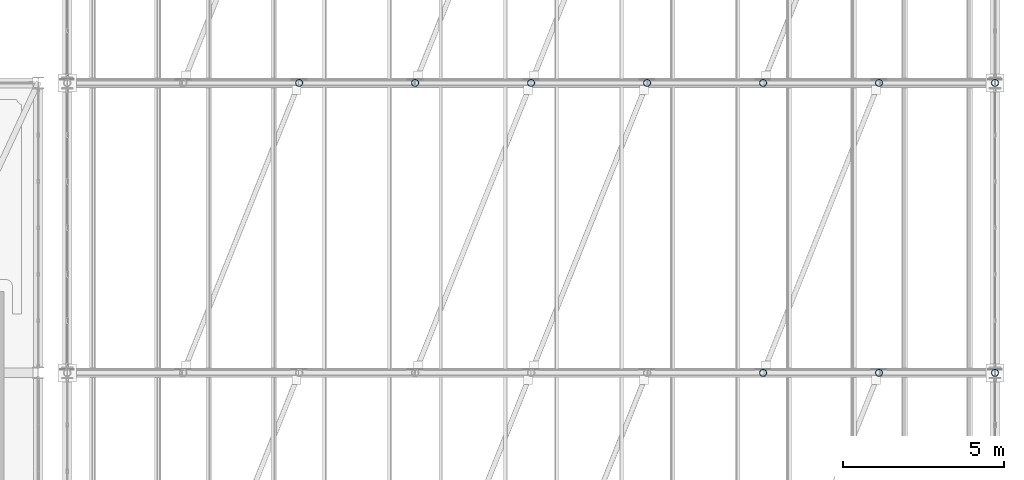
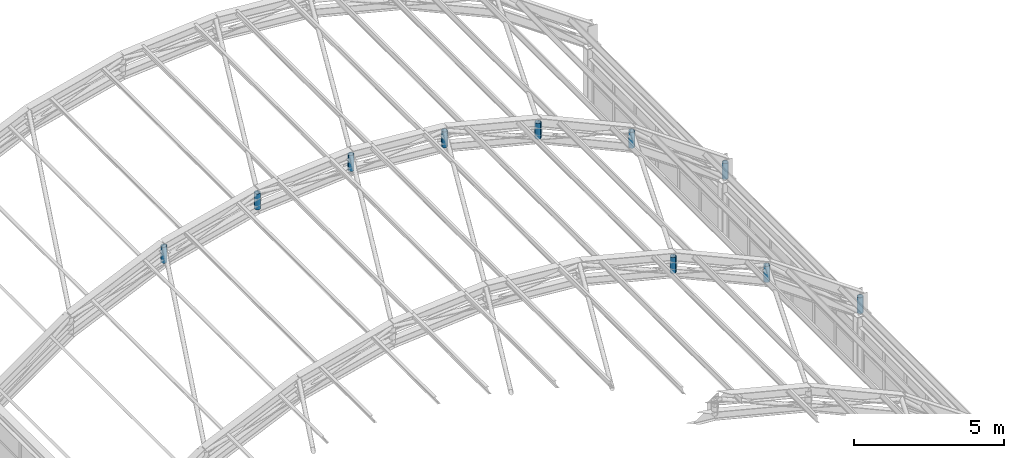
# One storey, part 94 of 121: 10 members.
"""IFC4 building model written with IfcOpenShell, lengths in metres."""

from ifc_helpers import new_model, si_unit, direction, frame, origin, origin_2d, place, context, subcontext, project, spatial, hollow_circle, extrude, material, material_profile, profile_set, type_object, element, save


model = new_model("IFC4")

# Units and contexts
model_context = context("Model", 3, precision=1e-05, world=origin(), true_north=direction((0.0, 1.0)))
body_context = subcontext(model_context, "Body", "Model", "MODEL_VIEW")
ifc_project = project(units=[si_unit("LENGTHUNIT", "METRE"), si_unit("AREAUNIT", "SQUARE_METRE"), si_unit("VOLUMEUNIT", "CUBIC_METRE"), si_unit("PLANEANGLEUNIT", "RADIAN"), si_unit("MASSUNIT", "GRAM", prefix="KILO")], contexts=[model_context])

# Site, building, storey
site_placement = place(None, origin())
site = spatial("IfcSite", under=ifc_project, at=site_placement, CompositionType="ELEMENT")
building_placement = place(site_placement, origin())
building = spatial("IfcBuilding", under=site, at=building_placement, Name="Canglan Escarpment Cableway Terminal", CompositionType="ELEMENT")
storey_placement = place(building_placement, frame((0.0, 0.0, 24.60009765625)))
storey = spatial("IfcBuildingStorey", under=building, at=storey_placement, Name="L05", CompositionType="ELEMENT", Elevation=24.60009765625)

# Members
ifc_material = material(Name="Steel Q355B", Category="steel")
ifc_material_profile = material_profile(ifc_material, hollow_circle(Radius=0.109619140625, WallThickness=0.008056640625, at=origin_2d()), Name="CHS 219.1x8")
ifc_profile_set = profile_set([ifc_material_profile], Name="Steel Q355B")
member_type = type_object("IfcMemberType", Name="MB-ARCH-WEB-CHS219", PredefinedType="BRACE", material=ifc_profile_set)
for number, where, z_axis, x_axis, name in (
    (1, (159.199951171875, 106.0, 6.58837890625), (0.0, 0.0, 1.0), (1.0, 0.0, 0.0), "Vault ROOF TRUSS vertical strut AR-WB1"),
    (2, (162.800048828125, 106.0, 4.966552734375), (0.0, 0.0, 1.0), (1.0, 0.0, 0.0), "Vault ROOF TRUSS vertical strut AR-WB1"),
):
    element("IfcMember", number, at=place(storey_placement, frame(where, z_axis=z_axis, x_axis=x_axis)), inside=storey, type_object=member_type, Name=name, PredefinedType="BRACE", context=body_context, shape_type="SweptSolid", body=[
        extrude(hollow_circle(Radius=0.109619140625, WallThickness=0.008056640625, at=origin_2d()), origin(), (0.0, 0.0, 1.0), 0.64990234375),
    ])
member_1_placement = place(storey_placement, frame((166.39990234375, 106.0, 2.432373046875), z_axis=(0.0, 0.0, 1.0), x_axis=(1.0, 0.0, 0.0)))
element("IfcMember", 3, at=member_1_placement, inside=storey, type_object=member_type, Name="Vault ROOF TRUSS springing strut AR-WB1", PredefinedType="BRACE", context=body_context, shape_type="SweptSolid", body=[
    extrude(hollow_circle(Radius=0.109619140625, WallThickness=0.008056640625, at=origin_2d()), origin(), (0.0, 0.0, 1.0), 0.650146484375),
])
for number, where, z_axis, x_axis, name in (
    (4, (144.800048828125, 115.0, 6.58837890625), (0.0, 0.0, 1.0), (1.0, 0.0, 0.0), "Vault ROOF TRUSS vertical strut AR-WB1"),
    (5, (148.39990234375, 115.0, 7.50341796875), (0.0, 0.0, 1.0), (1.0, 0.0, 0.0), "Vault ROOF TRUSS vertical strut AR-WB1"),
):
    element("IfcMember", number, at=place(storey_placement, frame(where, z_axis=z_axis, x_axis=x_axis)), inside=storey, type_object=member_type, Name=name, PredefinedType="BRACE", context=body_context, shape_type="SweptSolid", body=[
        extrude(hollow_circle(Radius=0.109619140625, WallThickness=0.008056640625, at=origin_2d()), origin(), (0.0, 0.0, 1.0), 0.64990234375),
    ])
member_2_placement = place(storey_placement, frame((152.0, 115.0, 7.7998046875), z_axis=(0.0, 0.0, 1.0), x_axis=(1.0, 0.0, 0.0)))
element("IfcMember", 6, at=member_2_placement, inside=storey, type_object=member_type, Name="Vault ROOF TRUSS vertical strut AR-WB1", PredefinedType="BRACE", context=body_context, shape_type="SweptSolid", body=[
    extrude(hollow_circle(Radius=0.109619140625, WallThickness=0.008056640625, at=origin_2d()), origin(), (0.0, 0.0, 1.0), 0.650146484375),
])
for number, where, z_axis, x_axis, name in (
    (7, (155.60009765625, 115.0, 7.50341796875), (0.0, 0.0, 1.0), (1.0, 0.0, 0.0), "Vault ROOF TRUSS vertical strut AR-WB1"),
    (8, (159.199951171875, 115.0, 6.58837890625), (0.0, 0.0, 1.0), (1.0, 0.0, 0.0), "Vault ROOF TRUSS vertical strut AR-WB1"),
    (9, (162.800048828125, 115.0, 4.966552734375), (0.0, 0.0, 1.0), (1.0, 0.0, 0.0), "Vault ROOF TRUSS vertical strut AR-WB1"),
):
    element("IfcMember", number, at=place(storey_placement, frame(where, z_axis=z_axis, x_axis=x_axis)), inside=storey, type_object=member_type, Name=name, PredefinedType="BRACE", context=body_context, shape_type="SweptSolid", body=[
        extrude(hollow_circle(Radius=0.109619140625, WallThickness=0.008056640625, at=origin_2d()), origin(), (0.0, 0.0, 1.0), 0.64990234375),
    ])
member_3_placement = place(storey_placement, frame((166.39990234375, 115.0, 2.432373046875), z_axis=(0.0, 0.0, 1.0), x_axis=(1.0, 0.0, 0.0)))
element("IfcMember", 10, at=member_3_placement, inside=storey, type_object=member_type, Name="Vault ROOF TRUSS springing strut AR-WB1", PredefinedType="BRACE", context=body_context, shape_type="SweptSolid", body=[
    extrude(hollow_circle(Radius=0.109619140625, WallThickness=0.008056640625, at=origin_2d()), origin(), (0.0, 0.0, 1.0), 0.650146484375),
])

save(model, "model.ifc")
